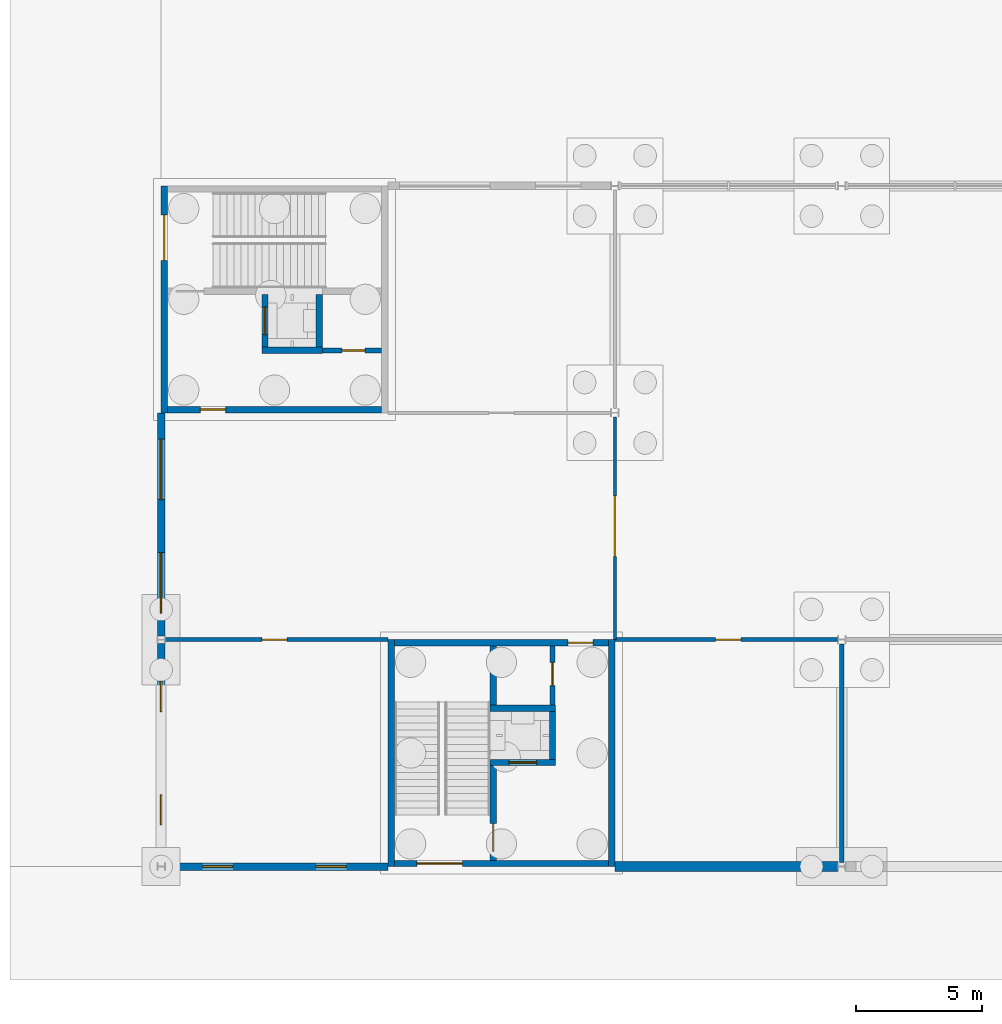
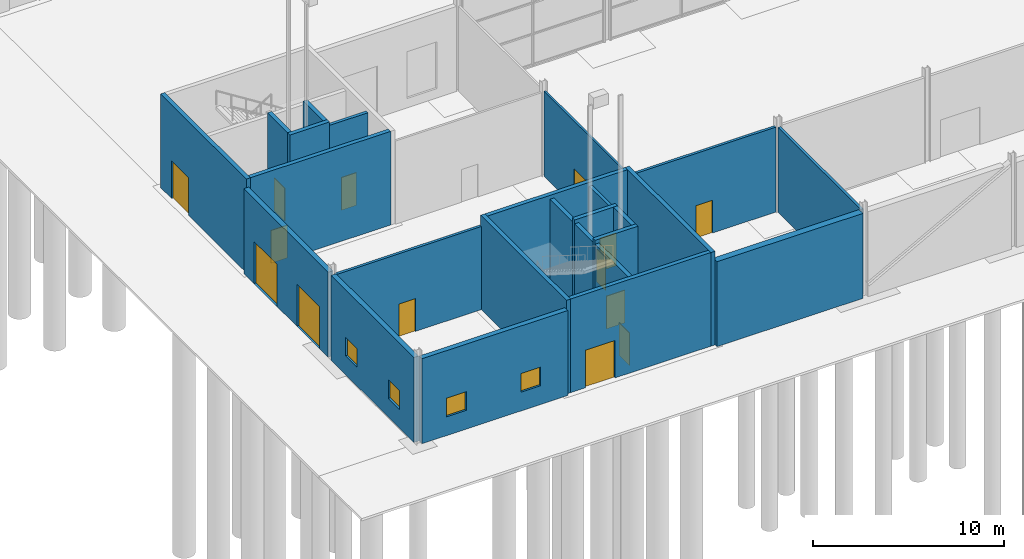
# One storey, part 60 of 97: 23 walls, 14 doors, 4 windows, 18 openings.
"""IFC4 building model written with IfcOpenShell, lengths in metres."""

import ifcopenshell
import ifcopenshell.guid

model = None  # the IFC model being written
_history = None  # IfcOwnerHistory: only IFC2X3 demands one
_inside = {}  # id of a spatial element -> (the spatial element, [elements in it])
_under = {}  # id of a project, library or spatial element -> (it, [spatial elements below it])
_declared = {}  # id of a project -> (the project, [libraries it declares])
_typed = {}  # id of a type object -> (the type object, [elements of that type])
_made_of = {}  # id of a material, layer set ... -> (it, [elements and type objects made of it])


def new_model(schema):
    """Start an empty IFC model of exactly this schema.

    Asked for "IFC4X3", IfcOpenShell would pick the latest addendum, in which some entities
    have other attributes; the version numbers below select the first issue.
    IFC2X3 requires an IfcOwnerHistory on every rooted entity: one is made here for all.
    """
    global model, _history
    if schema == "IFC4X3":
        model = ifcopenshell.file(schema_version=(4, 3, 0, 0))
    else:
        model = ifcopenshell.file(schema=schema)
    _inside.clear()
    _under.clear()
    _declared.clear()
    _typed.clear()
    _made_of.clear()
    _history = None
    if model.schema == "IFC2X3":
        org = make("IfcOrganization", Name="unknown")
        user = make(
            "IfcPersonAndOrganization",
            ThePerson=make("IfcPerson", FamilyName="unknown"),
            TheOrganization=org,
        )
        app = make(
            "IfcApplication",
            ApplicationDeveloper=org,
            Version="unknown",
            ApplicationFullName="unknown",
            ApplicationIdentifier="unknown",
        )
        _history = make(
            "IfcOwnerHistory",
            OwningUser=user,
            OwningApplication=app,
            ChangeAction="ADDED",
            CreationDate=0,
        )
    return model


def make(cls, **values):
    """One entity of the class cls with the attributes given. An attribute that is None is left unset."""
    return model.create_entity(
        cls, **{name: value for name, value in values.items() if value is not None}
    )


def rooted(cls, **values):
    """An entity with a GlobalId (a new one), such as an element, a storey or a relation."""
    return make(cls, GlobalId=ifcopenshell.guid.new(), OwnerHistory=_history, **values)


def si_unit(unit_type, name, prefix=None):
    """IfcSIUnit, for example si_unit("LENGTHUNIT", "METRE", prefix="MILLI")."""
    return make("IfcSIUnit", UnitType=unit_type, Prefix=prefix, Name=name)


def assignment(units):
    """IfcUnitAssignment: the units of a project."""
    return None if units is None else make("IfcUnitAssignment", Units=units)


def point(xyz):
    """IfcCartesianPoint."""
    return None if xyz is None else make("IfcCartesianPoint", Coordinates=xyz)


def direction(xyz):
    """IfcDirection."""
    return None if xyz is None else make("IfcDirection", DirectionRatios=xyz)


def frame(location, z_axis=None, x_axis=None):
    """IfcAxis2Placement3D, a coordinate frame: its origin and axes. An axis left out is left unset."""
    return make(
        "IfcAxis2Placement3D",
        Location=point(location),
        Axis=direction(z_axis),
        RefDirection=direction(x_axis),
    )


def frame_2d(location, x_axis=None):
    """IfcAxis2Placement2D, a coordinate frame in the plane: its origin and x axis."""
    return make(
        "IfcAxis2Placement2D", Location=point(location), RefDirection=direction(x_axis)
    )


def origin():
    """The frame at (0, 0, 0) with its axes left unset."""
    return frame((0.0, 0.0, 0.0))


def place(relative_to, where):
    """IfcLocalPlacement: puts the frame where relative to a parent placement (None: the world)."""
    return make(
        "IfcLocalPlacement", PlacementRelTo=relative_to, RelativePlacement=where
    )


def context(
    kind, dimensions, precision=None, world=None, true_north=None, identifier=None
):
    """IfcGeometricRepresentationContext, for example the 3D "Model" context."""
    return make(
        "IfcGeometricRepresentationContext",
        ContextIdentifier=identifier,
        ContextType=kind,
        CoordinateSpaceDimension=dimensions,
        Precision=precision,
        WorldCoordinateSystem=world,
        TrueNorth=true_north,
    )


def subcontext(parent, identifier, kind, view, scale=None):
    """IfcGeometricRepresentationSubContext, for example "Body" below "Model"."""
    return make(
        "IfcGeometricRepresentationSubContext",
        ContextIdentifier=identifier,
        ContextType=kind,
        ParentContext=parent,
        TargetScale=scale,
        TargetView=view,
    )


def project(units=None, contexts=None):
    """IfcProject with its units and contexts."""
    return rooted(
        "IfcProject",
        Name="project",
        RepresentationContexts=contexts,
        UnitsInContext=assignment(units),
    )


def spatial(cls, under=None, at=None, **own):
    """A site, building, storey or space (cls), placed at a placement, below another one or the project."""
    s = rooted(cls, ObjectPlacement=at, **own)
    if under is not None:
        _under.setdefault(under.id(), (under, []))[1].append(s)
    return s


def profile(cls, at=None, kind="AREA", **sizes):
    """A parametric profile (cls). Its sizes go by their IFC names, for example OverallWidth=200.0."""
    return make(cls, ProfileType=kind, Position=at, **sizes)


def rectangle(**sizes):
    """IfcRectangleProfileDef."""
    return profile("IfcRectangleProfileDef", **sizes)


def extrude(swept, where, along, depth):
    """IfcExtrudedAreaSolid: the profile swept, set in the frame where, extruded along a direction by depth."""
    return make(
        "IfcExtrudedAreaSolid",
        SweptArea=swept,
        Position=where,
        ExtrudedDirection=direction(along),
        Depth=depth,
    )


def shape(context_of_items, identifier, shape_type, items):
    """IfcShapeRepresentation: the items that make up one representation, for example the "Body"."""
    return make(
        "IfcShapeRepresentation",
        ContextOfItems=context_of_items,
        RepresentationIdentifier=identifier,
        RepresentationType=shape_type,
        Items=items,
    )


def material(Name=None, Category=None):
    """IfcMaterial."""
    return make("IfcMaterial", Name=Name, Category=Category)


def layer(
    of_material, thickness, ventilated=None, Name=None, Category=None, Priority=None
):
    """IfcMaterialLayer: one layer of a wall or slab, of a material (None: an air gap)."""
    return make(
        "IfcMaterialLayer",
        Material=of_material,
        LayerThickness=thickness,
        IsVentilated=ventilated,
        Name=Name,
        Category=Category,
        Priority=Priority,
    )


def layer_set(layers, Name=None):
    """IfcMaterialLayerSet."""
    return make("IfcMaterialLayerSet", MaterialLayers=layers, LayerSetName=Name)


def made_of(thing, what):
    """Note that an element or type object is made of a material, layer set ...; save() writes the relation."""
    if what is not None:
        _made_of.setdefault(what.id(), (what, []))[1].append(thing)
    return thing


def type_object(cls, material=None, **own):
    """A type object (cls), such as IfcWallType, which elements share."""
    return made_of(rooted(cls, **own), material)


def element(
    cls,
    number,
    at=None,
    inside=None,
    cuts=None,
    type_object=None,
    material=None,
    context=None,
    identifier="Body",
    shape_type=None,
    held_by="IfcProductDefinitionShape",
    body=None,
    shapes=None,
    **own,
):
    """One element of the class cls, such as IfcWall. Its Tag is "e" and its number.

    at: its placement. inside: the storey or other place that contains it. cuts: it is an
    opening in that element (IfcRelVoidsElement). A single representation is given by context,
    identifier, shape_type and body (its items); several are given by shapes. held_by: the class
    of the entity that holds the representations. save() writes the other relations.
    """
    e = rooted(cls, Tag="e%d" % number, ObjectPlacement=at, **own)
    if body is not None:
        shapes = [shape(context, identifier, shape_type, body)]
    if shapes is not None:
        e.Representation = make(held_by, Representations=shapes)
    if inside is not None:
        _inside.setdefault(inside.id(), (inside, []))[1].append(e)
    if cuts is not None:
        rooted(
            "IfcRelVoidsElement", RelatingBuildingElement=cuts, RelatedOpeningElement=e
        )
    if type_object is not None:
        _typed.setdefault(type_object.id(), (type_object, []))[1].append(e)
    return made_of(e, material)


def fill(opening, filler):
    """IfcRelFillsElement: the door or window that sits in an opening."""
    return rooted(
        "IfcRelFillsElement",
        RelatingOpeningElement=opening,
        RelatedBuildingElement=filler,
    )


def aggregate(whole, parts):
    """IfcRelAggregates: a whole, such as a stair, and the parts it consists of."""
    return rooted("IfcRelAggregates", RelatingObject=whole, RelatedObjects=parts)


def save(model, path):
    """Write the relations noted so far, then the file.

    IfcRelAggregates (storeys below a building ...), IfcRelContainedInSpatialStructure (elements
    in a storey), IfcRelDefinesByType, IfcRelAssociatesMaterial and IfcRelDeclares: one each for
    every whole, place, type object, material and project.
    """
    for whole, parts in _under.values():
        aggregate(whole, parts)
    for where, things in _inside.values():
        rooted(
            "IfcRelContainedInSpatialStructure",
            RelatedElements=things,
            RelatingStructure=where,
        )
    for kind, things in _typed.values():
        rooted("IfcRelDefinesByType", RelatedObjects=things, RelatingType=kind)
    for what, things in _made_of.values():
        rooted("IfcRelAssociatesMaterial", RelatedObjects=things, RelatingMaterial=what)
    for by, libraries in _declared.values():
        rooted("IfcRelDeclares", RelatingContext=by, RelatedDefinitions=libraries)
    model.write(path)


model = new_model("IFC4")

# Units and contexts
model_context = context("Model", 3, precision=1e-05, world=origin(), true_north=direction((0.0, 1.0)))
body_context = subcontext(model_context, "Body", "Model", "MODEL_VIEW")
ifc_project = project(units=[si_unit("LENGTHUNIT", "METRE"), si_unit("AREAUNIT", "SQUARE_METRE"), si_unit("VOLUMEUNIT", "CUBIC_METRE"), si_unit("PLANEANGLEUNIT", "RADIAN"), si_unit("MASSUNIT", "GRAM", prefix="KILO")], contexts=[model_context])

# Site, building, storey
site_placement = place(None, origin())
site = spatial("IfcSite", under=ifc_project, at=site_placement, CompositionType="ELEMENT")
building_placement = place(site_placement, origin())
building = spatial("IfcBuilding", under=site, at=building_placement, Name="Corbel Yard City Hall", CompositionType="ELEMENT")
storey_placement = place(building_placement, origin())
storey = spatial("IfcBuildingStorey", under=building, at=storey_placement, Name="L00", CompositionType="ELEMENT", Elevation=0.0)

# Walls
ifc_material_1 = material(Name="Concrete N50 (50 MPa)", Category="concrete")
ifc_layer_1 = layer(ifc_material_1, 0.25)
ifc_layer_set_1 = layer_set([ifc_layer_1], Name="Concrete N50 (50 MPa)")
wall_type_1 = type_object("IfcWallType", Name="Core cell wall 250", PredefinedType="SHEAR", material=ifc_layer_set_1)
for number, where, z_axis, x_axis, name in (
    (1, (9.125, 0.0, 0.0), (0.0, 0.0, 1.0), (0.0, 1.0, 0.0), "Core PC-S0 west wall"),
    (2, (17.875, 0.0, 0.0), (0.0, 0.0, 1.0), (0.0, 1.0, 0.0), "Core PC-S0 east wall"),
):
    element("IfcWall", number, at=place(storey_placement, frame(where, z_axis=z_axis, x_axis=x_axis)), inside=storey, type_object=wall_type_1, Name=name, PredefinedType="SHEAR", context=body_context, shape_type="SweptSolid", body=[
        extrude(rectangle(XDim=9.0, YDim=0.25, at=frame_2d((4.5, 0.0))), origin(), (0.0, 0.0, 1.0), 6.0),
    ])

# Wall, opening, door
wall_1_placement = place(storey_placement, frame((9.25, 0.125, 0.0), z_axis=(0.0, 0.0, 1.0), x_axis=(1.0, 0.0, 0.0)))
wall_1 = element("IfcWall", 3, at=wall_1_placement, inside=storey, type_object=wall_type_1, Name="Core PC-S0 south wall", PredefinedType="SHEAR", context=body_context, shape_type="SweptSolid", body=[
    extrude(rectangle(XDim=8.5, YDim=0.25, at=frame_2d((4.25, 0.0))), origin(), (0.0, 0.0, 1.0), 6.0),
])
opening_1_placement = place(wall_1_placement, frame((0.89990234375, 0.0, 0.0)))
opening_1 = element("IfcOpeningElement", 4, at=opening_1_placement, cuts=wall_1, Name="Opening L00-029", PredefinedType="OPENING", context=body_context, shape_type="SweptSolid", body=[
    extrude(rectangle(XDim=1.800048828125, YDim=2.39990234375, at=frame_2d((0.89990234375, 1.199951171875))), frame((0.0, 0.135009765625, 0.0), z_axis=(0.0, -1.0, 0.0), x_axis=(1.0, 0.0, 0.0)), (0.0, 0.0, 1.0), 0.27001953125),
])
ifc_material_2 = material(Name="Steel Grade G250, insulated infill", Category="steel")
door_type_1 = type_object("IfcDoorType", Name="XD2", OperationType="DOUBLE_DOOR_SINGLE_SWING", PredefinedType="DOOR", material=ifc_material_2)
door_1_placement = place(opening_1_placement, frame((1.800048828125, 0.0, 0.0), z_axis=(0.0, 0.0, 1.0), x_axis=(-1.0, 0.0, 0.0)))
door_1 = element("IfcDoor", 5, at=door_1_placement, inside=storey, type_object=door_type_1, Name="Stair exit door PC-S0", OperationType="DOUBLE_DOOR_SINGLE_SWING", OverallHeight=2.39990234375, OverallWidth=1.800048828125, PredefinedType="DOOR", context=body_context, shape_type="SweptSolid", body=[
    extrude(rectangle(XDim=1.800048828125, YDim=2.39990234375, at=frame_2d((0.89990234375, 1.199951171875))), frame((0.0, 0.02490234375, 0.0), z_axis=(0.0, -1.0, 0.0), x_axis=(1.0, 0.0, 0.0)), (0.0, 0.0, 1.0), 0.050048828125),
])
fill(opening_1, door_1)

wall_2_placement = place(storey_placement, frame((9.25, 8.875, 0.0), z_axis=(0.0, 0.0, 1.0), x_axis=(1.0, 0.0, 0.0)))
wall_2 = element("IfcWall", 6, at=wall_2_placement, inside=storey, type_object=wall_type_1, Name="Core PC-S0 north wall", PredefinedType="SHEAR", context=body_context, shape_type="SweptSolid", body=[
    extrude(rectangle(XDim=8.5, YDim=0.25, at=frame_2d((4.25, 0.0))), origin(), (0.0, 0.0, 1.0), 6.0),
])
opening_2_placement = place(wall_2_placement, frame((6.887451171875, 0.0, 0.0)))
opening_2 = element("IfcOpeningElement", 7, at=opening_2_placement, cuts=wall_2, Name="Opening L00-068", PredefinedType="OPENING", context=body_context, shape_type="SweptSolid", body=[
    extrude(rectangle(XDim=1.0, YDim=2.10009765625, at=frame_2d((0.5, 1.050048828125))), frame((0.0, 0.135009765625, 0.0), z_axis=(0.0, -1.0, 0.0), x_axis=(1.0, 0.0, 0.0)), (0.0, 0.0, 1.0), 0.27001953125),
])
ifc_material_3 = material(Name="Steel Grade G250", Category="steel")
door_type_2 = type_object("IfcDoorType", Name="FS1", OperationType="SINGLE_SWING_LEFT", PredefinedType="DOOR", material=ifc_material_3)
door_2_placement = place(opening_2_placement, frame((1.0, 0.0, 0.0), z_axis=(0.0, 0.0, 1.0), x_axis=(-1.0, 0.0, 0.0)))
door_2 = element("IfcDoor", 8, at=door_2_placement, inside=storey, type_object=door_type_2, Name="Door Lift Lobby", OperationType="SINGLE_SWING_RIGHT", OverallHeight=2.10009765625, OverallWidth=1.0, PredefinedType="DOOR", context=body_context, shape_type="SweptSolid", body=[
    extrude(rectangle(XDim=1.0, YDim=2.10009765625, at=frame_2d((0.5, 1.050048828125))), frame((0.0, 0.02490234375, 0.0), z_axis=(0.0, -1.0, 0.0), x_axis=(1.0, 0.0, 0.0)), (0.0, 0.0, 1.0), 0.050048828125),
])
fill(opening_2, door_2)

wall_3_placement = place(storey_placement, frame((0.125, 18.0, 0.0), z_axis=(0.0, 0.0, 1.0), x_axis=(0.0, 1.0, 0.0)))
wall_3 = element("IfcWall", 9, at=wall_3_placement, inside=storey, type_object=wall_type_1, Name="Core PC-S5 west wall", PredefinedType="SHEAR", context=body_context, shape_type="SweptSolid", body=[
    extrude(rectangle(XDim=9.0, YDim=0.25, at=frame_2d((4.5, 0.0))), origin(), (0.0, 0.0, 1.0), 6.0),
])
opening_3_placement = place(wall_3_placement, frame((6.050048828125, 0.0, 0.0)))
opening_3 = element("IfcOpeningElement", 10, at=opening_3_placement, cuts=wall_3, Name="Opening L00-030", PredefinedType="OPENING", context=body_context, shape_type="SweptSolid", body=[
    extrude(rectangle(XDim=1.800048828125, YDim=2.39990234375, at=frame_2d((0.89990234375, 1.199951171875))), frame((0.0, 0.135009765625, 0.0), z_axis=(0.0, -1.0, 0.0), x_axis=(1.0, 0.0, 0.0)), (0.0, 0.0, 1.0), 0.27001953125),
])
door_3_placement = place(opening_3_placement, origin())
door_3 = element("IfcDoor", 11, at=door_3_placement, inside=storey, type_object=door_type_1, Name="Stair exit door PC-S5", OperationType="DOUBLE_DOOR_SINGLE_SWING", OverallHeight=2.39990234375, OverallWidth=1.800048828125, PredefinedType="DOOR", context=body_context, shape_type="SweptSolid", body=[
    extrude(rectangle(XDim=1.800048828125, YDim=2.39990234375, at=frame_2d((0.89990234375, 1.199951171875))), frame((0.0, 0.02490234375, 0.0), z_axis=(0.0, -1.0, 0.0), x_axis=(1.0, 0.0, 0.0)), (0.0, 0.0, 1.0), 0.050048828125),
])
fill(opening_3, door_3)

wall_4_placement = place(storey_placement, frame((0.25, 18.125, 0.0), z_axis=(0.0, 0.0, 1.0), x_axis=(1.0, 0.0, 0.0)))
wall_4 = element("IfcWall", 12, at=wall_4_placement, inside=storey, type_object=wall_type_1, Name="Core PC-S5 south wall", PredefinedType="SHEAR", context=body_context, shape_type="SweptSolid", body=[
    extrude(rectangle(XDim=8.5, YDim=0.25, at=frame_2d((4.25, 0.0))), origin(), (0.0, 0.0, 1.0), 6.0),
])
opening_4_placement = place(wall_4_placement, frame((1.3125, 0.0, 0.0)))
opening_4 = element("IfcOpeningElement", 13, at=opening_4_placement, cuts=wall_4, Name="Opening L00-071", PredefinedType="OPENING", context=body_context, shape_type="SweptSolid", body=[
    extrude(rectangle(XDim=1.0, YDim=2.10009765625, at=frame_2d((0.5, 1.050048828125))), frame((0.0, 0.135009765625, 0.0), z_axis=(0.0, -1.0, 0.0), x_axis=(1.0, 0.0, 0.0)), (0.0, 0.0, 1.0), 0.27001953125),
])
door_4_placement = place(opening_4_placement, origin())
door_4 = element("IfcDoor", 14, at=door_4_placement, inside=storey, type_object=door_type_2, Name="Door Lift Lobby", OperationType="SINGLE_SWING_LEFT", OverallHeight=2.10009765625, OverallWidth=1.0, PredefinedType="DOOR", context=body_context, shape_type="SweptSolid", body=[
    extrude(rectangle(XDim=1.0, YDim=2.10009765625, at=frame_2d((0.5, 1.050048828125))), frame((0.0, 0.02490234375, 0.0), z_axis=(0.0, -1.0, 0.0), x_axis=(1.0, 0.0, 0.0)), (0.0, 0.0, 1.0), 0.050048828125),
])
fill(opening_4, door_4)

# Wall, openings, windows
ifc_material_4 = material(Name="Sandstone cladding", Category="masonry")
ifc_layer_2 = layer(ifc_material_4, 0.0400390625)
ifc_material_5 = material(Name="Air cavity", Category="air")
ifc_layer_3 = layer(ifc_material_5, 0.0400390625)
ifc_material_6 = material(Name="Concrete block", Category="concrete")
ifc_layer_4 = layer(ifc_material_6, 0.18994140625)
ifc_material_7 = material(Name="Gypsum plasterboard", Category="gypsum")
ifc_layer_5 = layer(ifc_material_7, 0.030029296875)
ifc_layer_set_2 = layer_set([ifc_layer_2, ifc_layer_3, ifc_layer_4, ifc_layer_5], Name="Concrete block")
wall_type_2 = type_object("IfcWallType", Name="EW1", PredefinedType="SOLIDWALL", material=ifc_layer_set_2)
wall_5_placement = place(storey_placement, frame((0.157470703125, 0.0, 0.0), z_axis=(0.0, 0.0, 1.0), x_axis=(1.0, 0.0, 0.0)))
wall_5 = element("IfcWall", 15, at=wall_5_placement, inside=storey, type_object=wall_type_2, Name="External wall", PredefinedType="SOLIDWALL", context=body_context, shape_type="SweptSolid", body=[
    extrude(rectangle(XDim=8.842529296875, YDim=0.300048828125, at=frame_2d((4.42138671875, 0.0))), origin(), (0.0, 0.0, 1.0), 5.444091796875),
])
opening_5_placement = place(wall_5_placement, frame((1.492431640625, 0.0, 1.199951171875)))
opening_5 = element("IfcOpeningElement", 16, at=opening_5_placement, cuts=wall_5, Name="Opening WN13", PredefinedType="OPENING", context=body_context, shape_type="SweptSolid", body=[
    extrude(rectangle(XDim=1.199951171875, YDim=1.199951171875, at=frame_2d((0.60009765625, 0.60009765625))), frame((0.0, 0.159912109375, 0.0), z_axis=(0.0, -1.0, 0.0), x_axis=(1.0, 0.0, 0.0)), (0.0, 0.0, 1.0), 0.320068359375),
])
opening_6_placement = place(wall_5_placement, frame((5.992431640625, 0.0, 1.199951171875)))
opening_6 = element("IfcOpeningElement", 17, at=opening_6_placement, cuts=wall_5, Name="Opening WN13", PredefinedType="OPENING", context=body_context, shape_type="SweptSolid", body=[
    extrude(rectangle(XDim=1.199951171875, YDim=1.199951171875, at=frame_2d((0.60009765625, 0.60009765625))), frame((0.0, 0.159912109375, 0.0), z_axis=(0.0, -1.0, 0.0), x_axis=(1.0, 0.0, 0.0)), (0.0, 0.0, 1.0), 0.320068359375),
])
ifc_material_8 = material(Name="Aluminium frame, double glazed low-e glass", Category="aluminium")
window_type = type_object("IfcWindowType", Name="WN13", PartitioningType="SINGLE_PANEL", PredefinedType="WINDOW", material=ifc_material_8)
window_1_placement = place(opening_5_placement, origin())
window_1 = element("IfcWindow", 18, at=window_1_placement, inside=storey, type_object=window_type, Name="Window WN13 L00", OverallHeight=1.199951171875, OverallWidth=1.199951171875, PartitioningType="SINGLE_PANEL", PredefinedType="WINDOW", context=body_context, shape_type="SweptSolid", body=[
    extrude(rectangle(XDim=1.199951171875, YDim=1.199951171875, at=frame_2d((0.60009765625, 0.60009765625))), frame((0.0, 0.030029296875, 0.0), z_axis=(0.0, -1.0, 0.0), x_axis=(1.0, 0.0, 0.0)), (0.0, 0.0, 1.0), 0.06005859375),
])
fill(opening_5, window_1)
window_2_placement = place(opening_6_placement, origin())
window_2 = element("IfcWindow", 19, at=window_2_placement, inside=storey, type_object=window_type, Name="Window WN13 L00", OverallHeight=1.199951171875, OverallWidth=1.199951171875, PartitioningType="SINGLE_PANEL", PredefinedType="WINDOW", context=body_context, shape_type="SweptSolid", body=[
    extrude(rectangle(XDim=1.199951171875, YDim=1.199951171875, at=frame_2d((0.60009765625, 0.60009765625))), frame((0.0, 0.030029296875, 0.0), z_axis=(0.0, -1.0, 0.0), x_axis=(1.0, 0.0, 0.0)), (0.0, 0.0, 1.0), 0.06005859375),
])
fill(opening_6, window_2)

wall_6_placement = place(storey_placement, frame((0.0, 0.153564453125, 0.0), z_axis=(0.0, 0.0, 1.0), x_axis=(0.0, 1.0, 0.0)))
wall_6 = element("IfcWall", 20, at=wall_6_placement, inside=storey, type_object=wall_type_2, Name="External wall", PredefinedType="SOLIDWALL", context=body_context, shape_type="SweptSolid", body=[
    extrude(rectangle(XDim=8.69287109375, YDim=0.300048828125, at=frame_2d((4.346435546875, 0.0))), origin(), (0.0, 0.0, 1.0), 5.444091796875),
])
opening_7_placement = place(wall_6_placement, frame((1.49658203125, 0.0, 1.199951171875)))
opening_7 = element("IfcOpeningElement", 21, at=opening_7_placement, cuts=wall_6, Name="Opening WN13", PredefinedType="OPENING", context=body_context, shape_type="SweptSolid", body=[
    extrude(rectangle(XDim=1.199951171875, YDim=1.199951171875, at=frame_2d((0.60009765625, 0.60009765625))), frame((0.0, 0.159912109375, 0.0), z_axis=(0.0, -1.0, 0.0), x_axis=(1.0, 0.0, 0.0)), (0.0, 0.0, 1.0), 0.320068359375),
])
opening_8_placement = place(wall_6_placement, frame((5.99658203125, 0.0, 1.199951171875)))
opening_8 = element("IfcOpeningElement", 22, at=opening_8_placement, cuts=wall_6, Name="Opening WN13", PredefinedType="OPENING", context=body_context, shape_type="SweptSolid", body=[
    extrude(rectangle(XDim=1.199951171875, YDim=1.199951171875, at=frame_2d((0.60009765625, 0.60009765625))), frame((0.0, 0.159912109375, 0.0), z_axis=(0.0, -1.0, 0.0), x_axis=(1.0, 0.0, 0.0)), (0.0, 0.0, 1.0), 0.320068359375),
])
window_3_placement = place(opening_7_placement, origin())
window_3 = element("IfcWindow", 23, at=window_3_placement, inside=storey, type_object=window_type, Name="Window WN13 L00", OverallHeight=1.199951171875, OverallWidth=1.199951171875, PartitioningType="SINGLE_PANEL", PredefinedType="WINDOW", context=body_context, shape_type="SweptSolid", body=[
    extrude(rectangle(XDim=1.199951171875, YDim=1.199951171875, at=frame_2d((0.60009765625, 0.60009765625))), frame((0.0, 0.030029296875, 0.0), z_axis=(0.0, -1.0, 0.0), x_axis=(1.0, 0.0, 0.0)), (0.0, 0.0, 1.0), 0.06005859375),
])
fill(opening_7, window_3)
window_4_placement = place(opening_8_placement, origin())
window_4 = element("IfcWindow", 24, at=window_4_placement, inside=storey, type_object=window_type, Name="Window WN13 L00", OverallHeight=1.199951171875, OverallWidth=1.199951171875, PartitioningType="SINGLE_PANEL", PredefinedType="WINDOW", context=body_context, shape_type="SweptSolid", body=[
    extrude(rectangle(XDim=1.199951171875, YDim=1.199951171875, at=frame_2d((0.60009765625, 0.60009765625))), frame((0.0, 0.030029296875, 0.0), z_axis=(0.0, -1.0, 0.0), x_axis=(1.0, 0.0, 0.0)), (0.0, 0.0, 1.0), 0.06005859375),
])
fill(opening_8, window_4)

# Wall
ifc_layer_6 = layer(ifc_material_7, 0.031982421875)
ifc_layer_7 = layer(ifc_material_5, 0.133056640625)
ifc_layer_8 = layer(ifc_material_6, 0.18994140625)
ifc_material_9 = material(Name="Cement render", Category="render")
ifc_layer_9 = layer(ifc_material_9, 0.0400390625)
ifc_material_10 = material(Name="Acoustic sealant", Category="sealant")
ifc_layer_10 = layer(ifc_material_10, 0.0048828125)
ifc_layer_set_3 = layer_set([ifc_layer_6, ifc_layer_7, ifc_layer_8, ifc_layer_9, ifc_layer_10], Name="Concrete block")
wall_type_3 = type_object("IfcWallType", Name="EW3", PredefinedType="SOLIDWALL", material=ifc_layer_set_3)
wall_7_placement = place(storey_placement, frame((18.0, 0.0, 0.0), z_axis=(0.0, 0.0, 1.0), x_axis=(1.0, 0.0, 0.0)))
element("IfcWall", 25, at=wall_7_placement, inside=storey, type_object=wall_type_3, Name="Acoustic wall", PredefinedType="SOLIDWALL", context=body_context, shape_type="SweptSolid", body=[
    extrude(rectangle(XDim=8.842529296875, YDim=0.39990234375, at=frame_2d((4.42138671875, 0.0))), origin(), (0.0, 0.0, 1.0), 5.444091796875),
])

# Wall, openings, doors
ifc_layer_11 = layer(ifc_material_4, 0.0400390625)
ifc_layer_12 = layer(ifc_material_5, 0.030029296875)
ifc_material_11 = material(Name="Concrete N40 (40 MPa)", Category="concrete")
ifc_layer_13 = layer(ifc_material_11, 0.18994140625)
ifc_layer_14 = layer(ifc_material_7, 0.0400390625)
ifc_layer_set_4 = layer_set([ifc_layer_11, ifc_layer_12, ifc_layer_13, ifc_layer_14], Name="Concrete N40 (40 MPa)")
wall_type_4 = type_object("IfcWallType", Name="EW7", PredefinedType="SOLIDWALL", material=ifc_layer_set_4)
wall_8_placement = place(storey_placement, frame((0.0, 9.153564453125, 0.0), z_axis=(0.0, 0.0, 1.0), x_axis=(0.0, 1.0, 0.0)))
wall_8 = element("IfcWall", 26, at=wall_8_placement, inside=storey, type_object=wall_type_4, Name="Entrance pier wall", PredefinedType="SOLIDWALL", context=body_context, shape_type="SweptSolid", body=[
    extrude(rectangle(XDim=8.846435546875, YDim=0.300048828125, at=frame_2d((4.42333984375, 0.0))), origin(), (0.0, 0.0, 1.0), 5.444091796875),
])
opening_9_placement = place(wall_8_placement, frame((0.896484375, 0.0, 0.0)))
opening_9 = element("IfcOpeningElement", 27, at=opening_9_placement, cuts=wall_8, Name="Opening L00-024", PredefinedType="OPENING", context=body_context, shape_type="SweptSolid", body=[
    extrude(rectangle(XDim=2.39990234375, YDim=2.699951171875, at=frame_2d((1.199951171875, 1.35009765625))), frame((0.0, 0.159912109375, 0.0), z_axis=(0.0, -1.0, 0.0), x_axis=(1.0, 0.0, 0.0)), (0.0, 0.0, 1.0), 0.320068359375),
])
opening_10_placement = place(wall_8_placement, frame((5.396484375, 0.0, 0.0)))
opening_10 = element("IfcOpeningElement", 28, at=opening_10_placement, cuts=wall_8, Name="Opening L00-025", PredefinedType="OPENING", context=body_context, shape_type="SweptSolid", body=[
    extrude(rectangle(XDim=2.39990234375, YDim=2.699951171875, at=frame_2d((1.199951171875, 1.35009765625))), frame((0.0, 0.159912109375, 0.0), z_axis=(0.0, -1.0, 0.0), x_axis=(1.0, 0.0, 0.0)), (0.0, 0.0, 1.0), 0.320068359375),
])
ifc_material_12 = material(Name="Aluminium frame, toughened laminated glass", Category="aluminium")
door_type_3 = type_object("IfcDoorType", Name="XD1", OperationType="DOUBLE_DOOR_SINGLE_SWING", PredefinedType="DOOR", material=ifc_material_12)
door_5_placement = place(opening_9_placement, origin())
door_5 = element("IfcDoor", 29, at=door_5_placement, inside=storey, type_object=door_type_3, Name="Station Link entrance door 1", OperationType="DOUBLE_DOOR_SINGLE_SWING", OverallHeight=2.699951171875, OverallWidth=2.39990234375, PredefinedType="DOOR", context=body_context, shape_type="SweptSolid", body=[
    extrude(rectangle(XDim=2.39990234375, YDim=2.699951171875, at=frame_2d((1.199951171875, 1.35009765625))), frame((0.0, 0.02490234375, 0.0), z_axis=(0.0, -1.0, 0.0), x_axis=(1.0, 0.0, 0.0)), (0.0, 0.0, 1.0), 0.050048828125),
])
fill(opening_9, door_5)
door_6_placement = place(opening_10_placement, origin())
door_6 = element("IfcDoor", 30, at=door_6_placement, inside=storey, type_object=door_type_3, Name="Station Link entrance door 2", OperationType="DOUBLE_DOOR_SINGLE_SWING", OverallHeight=2.699951171875, OverallWidth=2.39990234375, PredefinedType="DOOR", context=body_context, shape_type="SweptSolid", body=[
    extrude(rectangle(XDim=2.39990234375, YDim=2.699951171875, at=frame_2d((1.199951171875, 1.35009765625))), frame((0.0, 0.02490234375, 0.0), z_axis=(0.0, -1.0, 0.0), x_axis=(1.0, 0.0, 0.0)), (0.0, 0.0, 1.0), 0.050048828125),
])
fill(opening_10, door_6)

# Wall, opening, door
ifc_layer_15 = layer(ifc_material_11, 0.25)
ifc_layer_set_5 = layer_set([ifc_layer_15], Name="Concrete N40 (40 MPa)")
wall_type_5 = type_object("IfcWallType", Name="IW2", PredefinedType="SOLIDWALL", material=ifc_layer_set_5)
wall_9_placement = place(storey_placement, frame((13.175048828125, 0.25, 0.0), z_axis=(0.0, 0.0, 1.0), x_axis=(0.0, 1.0, 0.0)))
wall_9 = element("IfcWall", 31, at=wall_9_placement, inside=storey, type_object=wall_type_5, Name="Stair enclosure wall", PredefinedType="SOLIDWALL", context=body_context, shape_type="SweptSolid", body=[
    extrude(rectangle(XDim=8.5, YDim=0.25, at=frame_2d((4.25, 0.0))), origin(), (0.0, 0.0, 1.0), 5.75),
])
opening_11_placement = place(wall_9_placement, frame((0.35009765625, 0.0, 0.0)))
opening_11 = element("IfcOpeningElement", 32, at=opening_11_placement, cuts=wall_9, Name="Opening L00-067", PredefinedType="OPENING", context=body_context, shape_type="SweptSolid", body=[
    extrude(rectangle(XDim=1.10009765625, YDim=2.10009765625, at=frame_2d((0.550048828125, 1.050048828125))), frame((0.0, 0.135009765625, 0.0), z_axis=(0.0, -1.0, 0.0), x_axis=(1.0, 0.0, 0.0)), (0.0, 0.0, 1.0), 0.27001953125),
])
door_type_4 = type_object("IfcDoorType", Name="FS11", OperationType="SINGLE_SWING_LEFT", PredefinedType="DOOR", material=ifc_material_3)
door_7_placement = place(opening_11_placement, origin())
door_7 = element("IfcDoor", 33, at=door_7_placement, inside=storey, type_object=door_type_4, Name="Door Exit Stair 1", OperationType="SINGLE_SWING_LEFT", OverallHeight=2.10009765625, OverallWidth=1.10009765625, PredefinedType="DOOR", context=body_context, shape_type="SweptSolid", body=[
    extrude(rectangle(XDim=1.10009765625, YDim=2.10009765625, at=frame_2d((0.550048828125, 1.050048828125))), frame((0.0, 0.02490234375, 0.0), z_axis=(0.0, -1.0, 0.0), x_axis=(1.0, 0.0, 0.0)), (0.0, 0.0, 1.0), 0.050048828125),
])
fill(opening_11, door_7)

wall_10_placement = place(storey_placement, frame((13.050048828125, 4.125, -1.39990234375), z_axis=(0.0, 0.0, 1.0), x_axis=(1.0, 0.0, 0.0)))
wall_10 = element("IfcWall", 34, at=wall_10_placement, inside=storey, type_object=wall_type_5, Name="Lift LP1 shaft wall", PredefinedType="SOLIDWALL", context=body_context, shape_type="SweptSolid", body=[
    extrude(rectangle(XDim=2.599853515625, YDim=0.25, at=frame_2d((1.2998046875, 0.0))), origin(), (0.0, 0.0, 1.0), 7.39990234375),
])
opening_12_placement = place(wall_10_placement, frame((0.75, 0.0, 1.39990234375)))
opening_12 = element("IfcOpeningElement", 35, at=opening_12_placement, cuts=wall_10, Name="Opening L00-057", PredefinedType="OPENING", context=body_context, shape_type="SweptSolid", body=[
    extrude(rectangle(XDim=1.10009765625, YDim=2.10009765625, at=frame_2d((0.550048828125, 1.050048828125))), frame((0.0, 0.135009765625, 0.0), z_axis=(0.0, -1.0, 0.0), x_axis=(1.0, 0.0, 0.0)), (0.0, 0.0, 1.0), 0.27001953125),
])
ifc_material_13 = material(Name="Stainless steel Grade 316", Category="steel")
door_type_5 = type_object("IfcDoorType", Name="LD1", OperationType="DOUBLE_DOOR_SLIDING", PredefinedType="DOOR", material=ifc_material_13)
door_8_placement = place(opening_12_placement, origin())
door_8 = element("IfcDoor", 36, at=door_8_placement, inside=storey, type_object=door_type_5, Name="Lift LP1 landing door", OperationType="DOUBLE_DOOR_SLIDING", OverallHeight=2.10009765625, OverallWidth=1.10009765625, PredefinedType="DOOR", context=body_context, shape_type="SweptSolid", body=[
    extrude(rectangle(XDim=1.10009765625, YDim=2.10009765625, at=frame_2d((0.550048828125, 1.050048828125))), frame((0.0, 0.02490234375, 0.0), z_axis=(0.0, -1.0, 0.0), x_axis=(1.0, 0.0, 0.0)), (0.0, 0.0, 1.0), 0.050048828125),
])
fill(opening_12, door_8)

# Walls
wall_11_placement = place(storey_placement, frame((13.050048828125, 6.27490234375, -1.39990234375), z_axis=(0.0, 0.0, 1.0), x_axis=(1.0, 0.0, 0.0)))
element("IfcWall", 37, at=wall_11_placement, inside=storey, type_object=wall_type_5, Name="Lift LP1 shaft wall", PredefinedType="SOLIDWALL", context=body_context, shape_type="SweptSolid", body=[
    extrude(rectangle(XDim=2.599853515625, YDim=0.25, at=frame_2d((1.2998046875, 0.0))), origin(), (0.0, 0.0, 1.0), 7.39990234375),
])
wall_12_placement = place(storey_placement, frame((15.52490234375, 4.25, -1.39990234375), z_axis=(0.0, 0.0, 1.0), x_axis=(0.0, 1.0, 0.0)))
element("IfcWall", 38, at=wall_12_placement, inside=storey, type_object=wall_type_5, Name="Lift LP1 shaft wall", PredefinedType="SOLIDWALL", context=body_context, shape_type="SweptSolid", body=[
    extrude(rectangle(XDim=1.89990234375, YDim=0.25, at=frame_2d((0.949951171875, 0.0))), origin(), (0.0, 0.0, 1.0), 7.39990234375),
])
wall_13_placement = place(storey_placement, frame((4.0, 20.47509765625, -1.39990234375), z_axis=(0.0, 0.0, 1.0), x_axis=(1.0, 0.0, 0.0)))
element("IfcWall", 39, at=wall_13_placement, inside=storey, type_object=wall_type_5, Name="Lift LP6 shaft wall", PredefinedType="SOLIDWALL", context=body_context, shape_type="SweptSolid", body=[
    extrude(rectangle(XDim=2.39990234375, YDim=0.25, at=frame_2d((1.199951171875, 0.0))), origin(), (0.0, 0.0, 1.0), 7.39990234375),
])

# Wall, opening, door
wall_14_placement = place(storey_placement, frame((4.125, 20.60009765625, -1.39990234375), z_axis=(0.0, 0.0, 1.0), x_axis=(0.0, 1.0, 0.0)))
wall_14 = element("IfcWall", 40, at=wall_14_placement, inside=storey, type_object=wall_type_5, Name="Lift LP6 shaft wall", PredefinedType="SOLIDWALL", context=body_context, shape_type="SweptSolid", body=[
    extrude(rectangle(XDim=2.099853515625, YDim=0.25, at=frame_2d((1.0498046875, 0.0))), origin(), (0.0, 0.0, 1.0), 7.39990234375),
])
opening_13_placement = place(wall_14_placement, frame((0.5, 0.0, 1.39990234375)))
opening_13 = element("IfcOpeningElement", 41, at=opening_13_placement, cuts=wall_14, Name="Opening L00-062", PredefinedType="OPENING", context=body_context, shape_type="SweptSolid", body=[
    extrude(rectangle(XDim=1.10009765625, YDim=2.10009765625, at=frame_2d((0.550048828125, 1.050048828125))), frame((0.0, 0.135009765625, 0.0), z_axis=(0.0, -1.0, 0.0), x_axis=(1.0, 0.0, 0.0)), (0.0, 0.0, 1.0), 0.27001953125),
])
door_9_placement = place(opening_13_placement, origin())
door_9 = element("IfcDoor", 42, at=door_9_placement, inside=storey, type_object=door_type_5, Name="Lift LP6 landing door", OperationType="DOUBLE_DOOR_SLIDING", OverallHeight=2.10009765625, OverallWidth=1.10009765625, PredefinedType="DOOR", context=body_context, shape_type="SweptSolid", body=[
    extrude(rectangle(XDim=1.10009765625, YDim=2.10009765625, at=frame_2d((0.550048828125, 1.050048828125))), frame((0.0, 0.02490234375, 0.0), z_axis=(0.0, -1.0, 0.0), x_axis=(1.0, 0.0, 0.0)), (0.0, 0.0, 1.0), 0.050048828125),
])
fill(opening_13, door_9)

# Wall
wall_15_placement = place(storey_placement, frame((6.27490234375, 20.60009765625, -1.39990234375), z_axis=(0.0, 0.0, 1.0), x_axis=(0.0, 1.0, 0.0)))
element("IfcWall", 43, at=wall_15_placement, inside=storey, type_object=wall_type_5, Name="Lift LP6 shaft wall", PredefinedType="SOLIDWALL", context=body_context, shape_type="SweptSolid", body=[
    extrude(rectangle(XDim=2.099853515625, YDim=0.25, at=frame_2d((1.0498046875, 0.0))), origin(), (0.0, 0.0, 1.0), 7.39990234375),
])

# Wall, opening, door
ifc_layer_16 = layer(ifc_material_7, 0.028076171875)
ifc_material_14 = material(Name="Steel Grade G550 (550 MPa yield)", Category="steel")
ifc_layer_17 = layer(ifc_material_14, 0.06396484375)
ifc_layer_18 = layer(ifc_material_7, 0.028076171875)
ifc_layer_set_6 = layer_set([ifc_layer_16, ifc_layer_17, ifc_layer_18], Name="Steel Grade G550 (550 MPa yield)")
wall_type_6 = type_object("IfcWallType", Name="PT1", PredefinedType="PARTITIONING", material=ifc_layer_set_6)
wall_16_placement = place(storey_placement, frame((18.0, 9.0, 0.0), z_axis=(0.0, 0.0, 1.0), x_axis=(0.0, 1.0, 0.0)))
wall_16 = element("IfcWall", 44, at=wall_16_placement, inside=storey, type_object=wall_type_6, Name="Partition", PredefinedType="PARTITIONING", context=body_context, shape_type="SweptSolid", body=[
    extrude(rectangle(XDim=8.83642578125, YDim=0.1201171875, at=frame_2d((4.418212890625, 0.0))), origin(), (0.0, 0.0, 1.0), 5.444091796875),
])
opening_14_placement = place(wall_16_placement, frame((3.300048828125, 0.0, 0.0)))
opening_14 = element("IfcOpeningElement", 45, at=opening_14_placement, cuts=wall_16, Name="Opening L00-064", PredefinedType="OPENING", context=body_context, shape_type="SweptSolid", body=[
    extrude(rectangle(XDim=2.39990234375, YDim=2.39990234375, at=frame_2d((1.199951171875, 1.199951171875))), frame((0.0, 0.070068359375, 0.0), z_axis=(0.0, -1.0, 0.0), x_axis=(1.0, 0.0, 0.0)), (0.0, 0.0, 1.0), 0.14013671875),
])
ifc_material_15 = material(Name="Timber", Category="wood")
door_type_6 = type_object("IfcDoorType", Name="D9", OperationType="DOUBLE_DOOR_SINGLE_SWING", PredefinedType="DOOR", material=ifc_material_15)
door_10_placement = place(opening_14_placement, origin())
door_10 = element("IfcDoor", 46, at=door_10_placement, inside=storey, type_object=door_type_6, Name="Door Station Link Concourse", OperationType="DOUBLE_DOOR_SINGLE_SWING", OverallHeight=2.39990234375, OverallWidth=2.39990234375, PredefinedType="DOOR", context=body_context, shape_type="SweptSolid", body=[
    extrude(rectangle(XDim=2.39990234375, YDim=2.39990234375, at=frame_2d((1.199951171875, 1.199951171875))), frame((0.0, 0.02490234375, 0.0), z_axis=(0.0, -1.0, 0.0), x_axis=(1.0, 0.0, 0.0)), (0.0, 0.0, 1.0), 0.050048828125),
])
fill(opening_14, door_10)

ifc_layer_19 = layer(ifc_material_7, 0.031982421875)
ifc_layer_20 = layer(ifc_material_14, 0.095947265625)
ifc_layer_21 = layer(ifc_material_7, 0.031982421875)
ifc_layer_set_7 = layer_set([ifc_layer_19, ifc_layer_20, ifc_layer_21], Name="Steel Grade G550 (550 MPa yield)")
wall_type_7 = type_object("IfcWallType", Name="PT3", PredefinedType="PARTITIONING", material=ifc_layer_set_7)
wall_17_placement = place(storey_placement, frame((0.157470703125, 9.0, 0.0), z_axis=(0.0, 0.0, 1.0), x_axis=(1.0, 0.0, 0.0)))
wall_17 = element("IfcWall", 47, at=wall_17_placement, inside=storey, type_object=wall_type_7, Name="Fire-resisting wall", PredefinedType="PARTITIONING", context=body_context, shape_type="SweptSolid", body=[
    extrude(rectangle(XDim=8.842529296875, YDim=0.159912109375, at=frame_2d((4.42138671875, 0.0))), origin(), (0.0, 0.0, 1.0), 5.322021484375),
])
opening_15_placement = place(wall_17_placement, frame((3.842529296875, 0.0, 0.0)))
opening_15 = element("IfcOpeningElement", 48, at=opening_15_placement, cuts=wall_17, Name="Opening L00-065", PredefinedType="OPENING", context=body_context, shape_type="SweptSolid", body=[
    extrude(rectangle(XDim=1.0, YDim=2.10009765625, at=frame_2d((0.5, 1.050048828125))), frame((0.0, 0.08984375, 0.0), z_axis=(0.0, -1.0, 0.0), x_axis=(1.0, 0.0, 0.0)), (0.0, 0.0, 1.0), 0.179931640625),
])
door_type_7 = type_object("IfcDoorType", Name="FD1", OperationType="SINGLE_SWING_LEFT", PredefinedType="DOOR", material=ifc_material_3)
door_11_placement = place(opening_15_placement, frame((1.0, 0.0, 0.0), z_axis=(0.0, 0.0, 1.0), x_axis=(-1.0, 0.0, 0.0)))
door_11 = element("IfcDoor", 49, at=door_11_placement, inside=storey, type_object=door_type_7, Name="Door Link Security Office", OperationType="SINGLE_SWING_RIGHT", OverallHeight=2.10009765625, OverallWidth=1.0, PredefinedType="DOOR", context=body_context, shape_type="SweptSolid", body=[
    extrude(rectangle(XDim=1.0, YDim=2.10009765625, at=frame_2d((0.5, 1.050048828125))), frame((0.0, 0.02490234375, 0.0), z_axis=(0.0, -1.0, 0.0), x_axis=(1.0, 0.0, 0.0)), (0.0, 0.0, 1.0), 0.050048828125),
])
fill(opening_15, door_11)

wall_18_placement = place(storey_placement, frame((18.0, 9.0, 0.0), z_axis=(0.0, 0.0, 1.0), x_axis=(1.0, 0.0, 0.0)))
wall_18 = element("IfcWall", 50, at=wall_18_placement, inside=storey, type_object=wall_type_7, Name="Fire-resisting wall", PredefinedType="PARTITIONING", context=body_context, shape_type="SweptSolid", body=[
    extrude(rectangle(XDim=8.83642578125, YDim=0.159912109375, at=frame_2d((4.418212890625, 0.0))), origin(), (0.0, 0.0, 1.0), 5.444091796875),
])
opening_16_placement = place(wall_18_placement, frame((4.0, 0.0, 0.0)))
opening_16 = element("IfcOpeningElement", 51, at=opening_16_placement, cuts=wall_18, Name="Opening L00-085", PredefinedType="OPENING", context=body_context, shape_type="SweptSolid", body=[
    extrude(rectangle(XDim=1.0, YDim=2.10009765625, at=frame_2d((0.5, 1.050048828125))), frame((0.0, 0.08984375, 0.0), z_axis=(0.0, -1.0, 0.0), x_axis=(1.0, 0.0, 0.0)), (0.0, 0.0, 1.0), 0.179931640625),
])
door_12_placement = place(opening_16_placement, frame((1.0, 0.0, 0.0), z_axis=(0.0, 0.0, 1.0), x_axis=(-1.0, 0.0, 0.0)))
door_12 = element("IfcDoor", 52, at=door_12_placement, inside=storey, type_object=door_type_7, Name="Door Security Control Room", OperationType="SINGLE_SWING_LEFT", OverallHeight=2.10009765625, OverallWidth=1.0, PredefinedType="DOOR", context=body_context, shape_type="SweptSolid", body=[
    extrude(rectangle(XDim=1.0, YDim=2.10009765625, at=frame_2d((0.5, 1.050048828125))), frame((0.0, 0.02490234375, 0.0), z_axis=(0.0, -1.0, 0.0), x_axis=(1.0, 0.0, 0.0)), (0.0, 0.0, 1.0), 0.050048828125),
])
fill(opening_16, door_12)

# Wall
wall_19_placement = place(storey_placement, frame((27.0, 0.157470703125, 0.0), z_axis=(0.0, 0.0, 1.0), x_axis=(0.0, 1.0, 0.0)))
element("IfcWall", 53, at=wall_19_placement, inside=storey, type_object=wall_type_7, Name="Fire-resisting wall", PredefinedType="PARTITIONING", context=body_context, shape_type="SweptSolid", body=[
    extrude(rectangle(XDim=8.678955078125, YDim=0.159912109375, at=frame_2d((4.33935546875, 0.0))), origin(), (0.0, 0.0, 1.0), 5.447021484375),
])

# Wall, opening, door
ifc_material_16 = material(Name="Concrete block", Category="concrete")
ifc_layer_22 = layer(ifc_material_16, 0.18994140625)
ifc_layer_set_8 = layer_set([ifc_layer_22], Name="Concrete block")
wall_type_8 = type_object("IfcWallType", Name="PT4", PredefinedType="PARTITIONING", material=ifc_layer_set_8)
wall_20_placement = place(storey_placement, frame((6.39990234375, 20.47509765625, 0.0), z_axis=(0.0, 0.0, 1.0), x_axis=(1.0, 0.0, 0.0)))
wall_20 = element("IfcWall", 54, at=wall_20_placement, inside=storey, type_object=wall_type_8, Name="Fire-resisting block wall", PredefinedType="PARTITIONING", context=body_context, shape_type="SweptSolid", body=[
    extrude(rectangle(XDim=2.35009765625, YDim=0.18994140625, at=frame_2d((1.175048828125, 0.0))), origin(), (0.0, 0.0, 1.0), 5.75),
])
opening_17_placement = place(wall_20_placement, frame((0.777587890625, 0.0, 0.0)))
opening_17 = element("IfcOpeningElement", 55, at=opening_17_placement, cuts=wall_20, Name="Opening L00-072", PredefinedType="OPENING", context=body_context, shape_type="SweptSolid", body=[
    extrude(rectangle(XDim=0.919921875, YDim=2.10009765625, at=frame_2d((0.4599609375, 1.050048828125))), frame((0.0, 0.10498046875, 0.0), z_axis=(0.0, -1.0, 0.0), x_axis=(1.0, 0.0, 0.0)), (0.0, 0.0, 1.0), 0.2099609375),
])
door_type_8 = type_object("IfcDoorType", Name="FS5", OperationType="SINGLE_SWING_RIGHT", PredefinedType="DOOR", material=ifc_material_3)
door_13_placement = place(opening_17_placement, origin())
door_13 = element("IfcDoor", 56, at=door_13_placement, inside=storey, type_object=door_type_8, Name="Door Service Riser", OperationType="SINGLE_SWING_RIGHT", OverallHeight=2.10009765625, OverallWidth=0.919921875, PredefinedType="DOOR", context=body_context, shape_type="SweptSolid", body=[
    extrude(rectangle(XDim=0.919921875, YDim=2.10009765625, at=frame_2d((0.4599609375, 1.050048828125))), frame((0.0, 0.02490234375, 0.0), z_axis=(0.0, -1.0, 0.0), x_axis=(1.0, 0.0, 0.0)), (0.0, 0.0, 1.0), 0.050048828125),
])
fill(opening_17, door_13)

wall_21_placement = place(storey_placement, frame((15.52490234375, 6.39990234375, 0.0), z_axis=(0.0, 0.0, 1.0), x_axis=(0.0, 1.0, 0.0)))
wall_21 = element("IfcWall", 57, at=wall_21_placement, inside=storey, type_object=wall_type_8, Name="Fire-resisting block wall", PredefinedType="PARTITIONING", context=body_context, shape_type="SweptSolid", body=[
    extrude(rectangle(XDim=2.35009765625, YDim=0.18994140625, at=frame_2d((1.175048828125, 0.0))), origin(), (0.0, 0.0, 1.0), 5.75),
])
opening_18_placement = place(wall_21_placement, frame((0.777587890625, 0.0, 0.0)))
opening_18 = element("IfcOpeningElement", 58, at=opening_18_placement, cuts=wall_21, Name="Opening L00-069", PredefinedType="OPENING", context=body_context, shape_type="SweptSolid", body=[
    extrude(rectangle(XDim=0.919921875, YDim=2.10009765625, at=frame_2d((0.4599609375, 1.050048828125))), frame((0.0, 0.10498046875, 0.0), z_axis=(0.0, -1.0, 0.0), x_axis=(1.0, 0.0, 0.0)), (0.0, 0.0, 1.0), 0.2099609375),
])
door_14_placement = place(opening_18_placement, origin())
door_14 = element("IfcDoor", 59, at=door_14_placement, inside=storey, type_object=door_type_8, Name="Door Service Riser", OperationType="SINGLE_SWING_RIGHT", OverallHeight=2.10009765625, OverallWidth=0.919921875, PredefinedType="DOOR", context=body_context, shape_type="SweptSolid", body=[
    extrude(rectangle(XDim=0.919921875, YDim=2.10009765625, at=frame_2d((0.4599609375, 1.050048828125))), frame((0.0, 0.02490234375, 0.0), z_axis=(0.0, -1.0, 0.0), x_axis=(1.0, 0.0, 0.0)), (0.0, 0.0, 1.0), 0.050048828125),
])
fill(opening_18, door_14)

save(model, "model.ifc")
